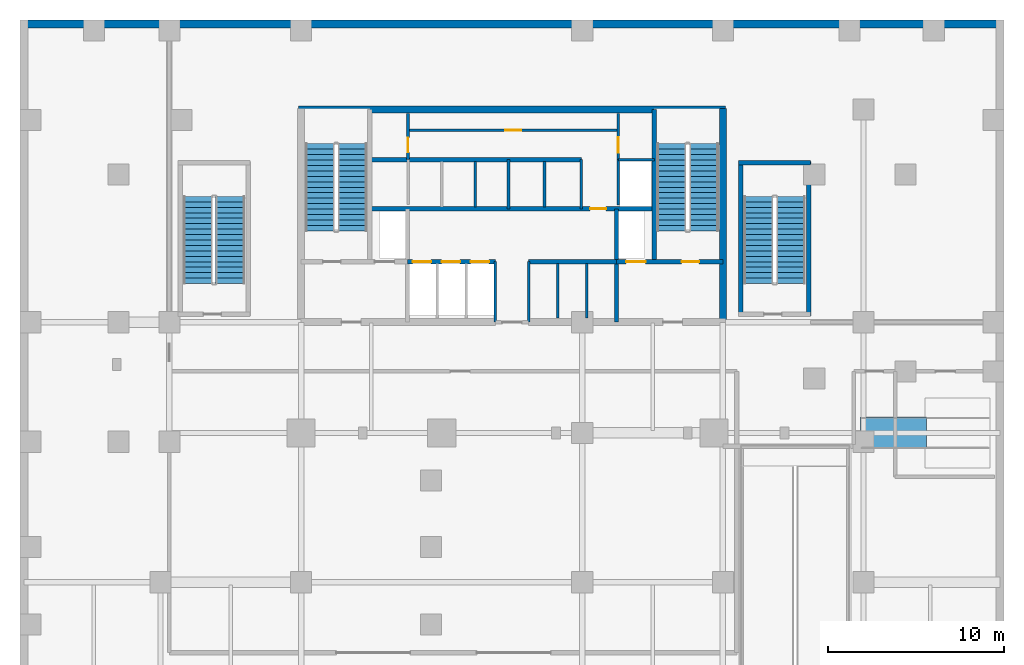
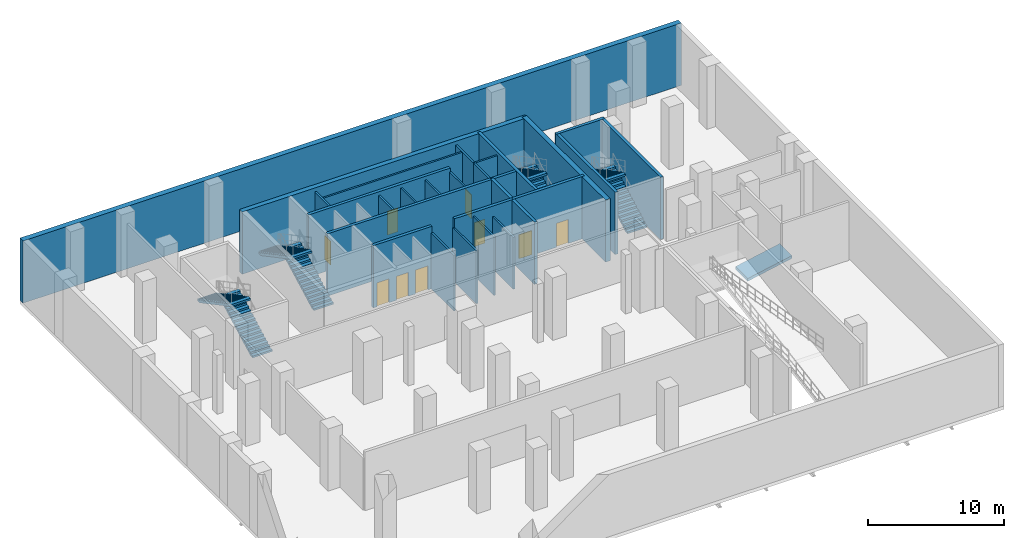
# One storey, part 3 of 5: 26 walls, 9 doors, 8 stair flights, 1 ramp flight, 9 openings, 5 elements without a shape of their own.
"""IFC4 building model written with IfcOpenShell, lengths in metres."""

from ifc_helpers import new_model, si_unit, direction, frame, frame_2d, origin, place, context, subcontext, project, spatial, polyline, rectangle, outline, extrude, material, layer, layer_set, type_object, element, fill, aggregate, save


model = new_model("IFC4")

# Units and contexts
model_context = context("Model", 3, precision=1e-05, world=origin(), true_north=direction((0.0, 1.0)))
body_context = subcontext(model_context, "Body", "Model", "MODEL_VIEW")
ifc_project = project(units=[si_unit("LENGTHUNIT", "METRE"), si_unit("AREAUNIT", "SQUARE_METRE"), si_unit("VOLUMEUNIT", "CUBIC_METRE"), si_unit("PLANEANGLEUNIT", "RADIAN"), si_unit("MASSUNIT", "GRAM", prefix="KILO")], contexts=[model_context])

# Site, building, storey
site_placement = place(None, origin())
site = spatial("IfcSite", under=ifc_project, at=site_placement, CompositionType="ELEMENT")
building_placement = place(site_placement, origin())
building = spatial("IfcBuilding", under=site, at=building_placement, Name="Catumbela Crestline Tower", CompositionType="ELEMENT")
storey_placement = place(building_placement, frame((0.0, 0.0, -5.6)))
storey = spatial("IfcBuildingStorey", under=building, at=storey_placement, Name="B01", CompositionType="ELEMENT", Elevation=-5.6)

# Walls
ifc_material_1 = material(Name="Concrete C50/60", Category="concrete")
ifc_layer_1 = layer(ifc_material_1, 0.25, Name="Concrete C50/60")
ifc_layer_set_1 = layer_set([ifc_layer_1], Name="Concrete C50/60")
wall_type_1 = type_object("IfcWallType", Name="CW-250D", PredefinedType="SHEAR", material=ifc_layer_set_1)
wall_1_placement = place(storey_placement, frame((36.1, 34.25, 0.0), z_axis=(0.0, 0.0, 1.0), x_axis=(0.0, 1.0, 0.0)))
element("IfcWall", 1, at=wall_1_placement, inside=storey, type_object=wall_type_1, Name="B01 Structural Core Shear Wall EWEB", PredefinedType="SHEAR", context=body_context, shape_type="SweptSolid", body=[
    extrude(rectangle(XDim=8.65, YDim=0.25, at=frame_2d((4.325, 0.0))), origin(), (0.0, 0.0, 1.0), 5.6),
])
wall_2_placement = place(storey_placement, frame((33.95, 30.8, 0.0), z_axis=(0.0, 0.0, 1.0), x_axis=(0.0, 1.0, 0.0)))
element("IfcWall", 2, at=wall_2_placement, inside=storey, type_object=wall_type_1, Name="B01 Structural Core Shear Wall FFE", PredefinedType="SHEAR", context=body_context, shape_type="SweptSolid", body=[
    extrude(rectangle(XDim=6.45, YDim=0.25, at=frame_2d((3.225, 0.0))), origin(), (0.0, 0.0, 1.0), 5.6),
])

# Wall, openings, doors
wall_3_placement = place(storey_placement, frame((33.95, 34.25, 0.0), z_axis=(0.0, 0.0, 1.0), x_axis=(1.0, 0.0, 0.0)))
wall_3 = element("IfcWall", 3, at=wall_3_placement, inside=storey, type_object=wall_type_1, Name="B01 Structural Core Shear Wall ST2S", PredefinedType="SHEAR", context=body_context, shape_type="SweptSolid", body=[
    extrude(rectangle(XDim=6.05, YDim=0.25, at=frame_2d((3.025, 0.0))), origin(), (0.0, 0.0, 1.0), 5.6),
])
opening_1_placement = place(wall_3_placement, frame((3.7, 0.0, 0.0)))
opening_1 = element("IfcOpeningElement", 4, at=opening_1_placement, cuts=wall_3, Name="Opening DF9-100", PredefinedType="OPENING", context=body_context, shape_type="SweptSolid", body=[
    extrude(rectangle(XDim=1.0, YDim=2.15, at=frame_2d((0.5, 1.075))), frame((0.0, 0.135, 0.0), z_axis=(0.0, -1.0, 0.0), x_axis=(1.0, 0.0, 0.0)), (0.0, 0.0, 1.0), 0.27),
])
opening_2_placement = place(wall_3_placement, frame((0.55, 0.0, 0.0)))
opening_2 = element("IfcOpeningElement", 5, at=opening_2_placement, cuts=wall_3, Name="Opening LD-110", PredefinedType="OPENING", context=body_context, shape_type="SweptSolid", body=[
    extrude(rectangle(XDim=1.1, YDim=2.15, at=frame_2d((0.55, 1.075))), frame((0.0, 0.135, 0.0), z_axis=(0.0, -1.0, 0.0), x_axis=(1.0, 0.0, 0.0)), (0.0, 0.0, 1.0), 0.27),
])
ifc_material_2 = material(Name="Stainless steel EN 1.4401", Category="steel")
door_type_1 = type_object("IfcDoorType", Name="DF9-100", OperationType="NOTDEFINED", PredefinedType="DOOR", material=ifc_material_2)
door_1_placement = place(opening_1_placement, origin())
door_1 = element("IfcDoor", 6, at=door_1_placement, inside=storey, type_object=door_type_1, Name="B01 Interior Door DR-B01-ST02", OperationType="SINGLE_SWING_RIGHT", OverallHeight=2.15, OverallWidth=1.0, PredefinedType="DOOR", context=body_context, shape_type="SweptSolid", body=[
    extrude(rectangle(XDim=1.0, YDim=2.15, at=frame_2d((0.5, 1.075))), frame((0.0, 0.025, 0.0), z_axis=(0.0, -1.0, 0.0), x_axis=(1.0, 0.0, 0.0)), (0.0, 0.0, 1.0), 0.05),
])
fill(opening_1, door_1)
door_type_2 = type_object("IfcDoorType", Name="LD-110", OperationType="NOTDEFINED", PredefinedType="DOOR", material=ifc_material_2)
door_2_placement = place(opening_2_placement, origin())
door_2 = element("IfcDoor", 7, at=door_2_placement, inside=storey, type_object=door_type_2, Name="B01 Lift Landing Sliding Door FL-02", OperationType="DOUBLE_DOOR_SLIDING", OverallHeight=2.15, OverallWidth=1.1, PredefinedType="DOOR", context=body_context, shape_type="SweptSolid", body=[
    extrude(rectangle(XDim=1.1, YDim=2.15, at=frame_2d((0.55, 1.075))), frame((0.0, 0.025, 0.0), z_axis=(0.0, -1.0, 0.0), x_axis=(1.0, 0.0, 0.0)), (0.0, 0.0, 1.0), 0.05),
])
fill(opening_2, door_2)

wall_4_placement = place(storey_placement, frame((22.05, 34.25, 0.0), z_axis=(0.0, 0.0, 1.0), x_axis=(1.0, 0.0, 0.0)))
wall_4 = element("IfcWall", 8, at=wall_4_placement, inside=storey, type_object=wall_type_1, Name="B01 Structural Core Shear Wall LIFTS-W", PredefinedType="SHEAR", context=body_context, shape_type="SweptSolid", body=[
    extrude(rectangle(XDim=5.0, YDim=0.25, at=frame_2d((2.5, 0.0))), origin(), (0.0, 0.0, 1.0), 5.6),
])
opening_3_placement = place(wall_4_placement, frame((0.3, 0.0, 0.0)))
opening_3 = element("IfcOpeningElement", 9, at=opening_3_placement, cuts=wall_4, Name="Opening LD-105", PredefinedType="OPENING", context=body_context, shape_type="SweptSolid", body=[
    extrude(rectangle(XDim=1.05, YDim=2.15, at=frame_2d((0.525, 1.075))), frame((0.0, 0.135, 0.0), z_axis=(0.0, -1.0, 0.0), x_axis=(1.0, 0.0, 0.0)), (0.0, 0.0, 1.0), 0.27),
])
opening_4_placement = place(wall_4_placement, frame((1.95, 0.0, 0.0)))
opening_4 = element("IfcOpeningElement", 10, at=opening_4_placement, cuts=wall_4, Name="Opening LD-105", PredefinedType="OPENING", context=body_context, shape_type="SweptSolid", body=[
    extrude(rectangle(XDim=1.05, YDim=2.15, at=frame_2d((0.525, 1.075))), frame((0.0, 0.135, 0.0), z_axis=(0.0, -1.0, 0.0), x_axis=(1.0, 0.0, 0.0)), (0.0, 0.0, 1.0), 0.27),
])
opening_5_placement = place(wall_4_placement, frame((3.6, 0.0, 0.0)))
opening_5 = element("IfcOpeningElement", 11, at=opening_5_placement, cuts=wall_4, Name="Opening LD-105", PredefinedType="OPENING", context=body_context, shape_type="SweptSolid", body=[
    extrude(rectangle(XDim=1.05, YDim=2.15, at=frame_2d((0.525, 1.075))), frame((0.0, 0.135, 0.0), z_axis=(0.0, -1.0, 0.0), x_axis=(1.0, 0.0, 0.0)), (0.0, 0.0, 1.0), 0.27),
])
door_type_3 = type_object("IfcDoorType", Name="LD-105", OperationType="NOTDEFINED", PredefinedType="DOOR", material=ifc_material_2)
door_3_placement = place(opening_3_placement, origin())
door_3 = element("IfcDoor", 12, at=door_3_placement, inside=storey, type_object=door_type_3, Name="B01 Lift Landing Sliding Door PL-L1", OperationType="DOUBLE_DOOR_SLIDING", OverallHeight=2.15, OverallWidth=1.05, PredefinedType="DOOR", context=body_context, shape_type="SweptSolid", body=[
    extrude(rectangle(XDim=1.05, YDim=2.15, at=frame_2d((0.525, 1.075))), frame((0.0, 0.025, 0.0), z_axis=(0.0, -1.0, 0.0), x_axis=(1.0, 0.0, 0.0)), (0.0, 0.0, 1.0), 0.05),
])
fill(opening_3, door_3)
door_4_placement = place(opening_4_placement, origin())
door_4 = element("IfcDoor", 13, at=door_4_placement, inside=storey, type_object=door_type_3, Name="B01 Lift Landing Sliding Door PL-L2", OperationType="DOUBLE_DOOR_SLIDING", OverallHeight=2.15, OverallWidth=1.05, PredefinedType="DOOR", context=body_context, shape_type="SweptSolid", body=[
    extrude(rectangle(XDim=1.05, YDim=2.15, at=frame_2d((0.525, 1.075))), frame((0.0, 0.025, 0.0), z_axis=(0.0, -1.0, 0.0), x_axis=(1.0, 0.0, 0.0)), (0.0, 0.0, 1.0), 0.05),
])
fill(opening_4, door_4)
door_5_placement = place(opening_5_placement, origin())
door_5 = element("IfcDoor", 14, at=door_5_placement, inside=storey, type_object=door_type_3, Name="B01 Lift Landing Sliding Door PL-L3", OperationType="DOUBLE_DOOR_SLIDING", OverallHeight=2.15, OverallWidth=1.05, PredefinedType="DOOR", context=body_context, shape_type="SweptSolid", body=[
    extrude(rectangle(XDim=1.05, YDim=2.15, at=frame_2d((0.525, 1.075))), frame((0.0, 0.025, 0.0), z_axis=(0.0, -1.0, 0.0), x_axis=(1.0, 0.0, 0.0)), (0.0, 0.0, 1.0), 0.05),
])
fill(opening_5, door_5)

# Wall
wall_5_placement = place(storey_placement, frame((28.95, 34.25, 0.0), z_axis=(0.0, 0.0, 1.0), x_axis=(1.0, 0.0, 0.0)))
element("IfcWall", 15, at=wall_5_placement, inside=storey, type_object=wall_type_1, Name="B01 Structural Core Shear Wall LIFTS-E", PredefinedType="SHEAR", context=body_context, shape_type="SweptSolid", body=[
    extrude(rectangle(XDim=5.0, YDim=0.25, at=frame_2d((2.5, 0.0))), origin(), (0.0, 0.0, 1.0), 5.6),
])

# Wall, opening, door
wall_6_placement = place(storey_placement, frame((19.9, 37.25, 0.0), z_axis=(0.0, 0.0, 1.0), x_axis=(1.0, 0.0, 0.0)))
wall_6 = element("IfcWall", 16, at=wall_6_placement, inside=storey, type_object=wall_type_1, Name="B01 Structural Core Shear Wall LIFTN", PredefinedType="SHEAR", context=body_context, shape_type="SweptSolid", body=[
    extrude(rectangle(XDim=16.2, YDim=0.25, at=frame_2d((8.1, 0.0))), origin(), (0.0, 0.0, 1.0), 5.6),
])
opening_6_placement = place(wall_6_placement, frame((12.55, 0.0, 0.0)))
opening_6 = element("IfcOpeningElement", 17, at=opening_6_placement, cuts=wall_6, Name="Opening DF9-090", PredefinedType="OPENING", context=body_context, shape_type="SweptSolid", body=[
    extrude(rectangle(XDim=0.9, YDim=2.15, at=frame_2d((0.45, 1.075))), frame((0.0, 0.135, 0.0), z_axis=(0.0, -1.0, 0.0), x_axis=(1.0, 0.0, 0.0)), (0.0, 0.0, 1.0), 0.27),
])
door_type_4 = type_object("IfcDoorType", Name="DF9-090", OperationType="NOTDEFINED", PredefinedType="DOOR", material=ifc_material_2)
door_6_placement = place(opening_6_placement, origin())
door_6 = element("IfcDoor", 18, at=door_6_placement, inside=storey, type_object=door_type_4, Name="B01 Interior Door DR-B01-CPAS1", OperationType="SINGLE_SWING_LEFT", OverallHeight=2.15, OverallWidth=0.9, PredefinedType="DOOR", context=body_context, shape_type="SweptSolid", body=[
    extrude(rectangle(XDim=0.9, YDim=2.15, at=frame_2d((0.45, 1.075))), frame((0.0, 0.025, 0.0), z_axis=(0.0, -1.0, 0.0), x_axis=(1.0, 0.0, 0.0)), (0.0, 0.0, 1.0), 0.05),
])
fill(opening_6, door_6)

# Walls
wall_7_placement = place(storey_placement, frame((19.9, 40.05, 0.0), z_axis=(0.0, 0.0, 1.0), x_axis=(1.0, 0.0, 0.0)))
element("IfcWall", 19, at=wall_7_placement, inside=storey, type_object=wall_type_1, Name="B01 Structural Core Shear Wall COREN", PredefinedType="SHEAR", context=body_context, shape_type="SweptSolid", body=[
    extrude(rectangle(XDim=12.05, YDim=0.25, at=frame_2d((6.025, 0.0))), origin(), (0.0, 0.0, 1.0), 5.6),
])
for number, where, z_axis, x_axis, name in (
    (20, (41.02, 31.15, 0.0), (0.0, 0.0, 1.0), (0.0, 1.0, 0.0), "B01 Structural Core Shear Wall ST4W"),
    (21, (44.88, 31.15, 0.0), (0.0, 0.0, 1.0), (0.0, 1.0, 0.0), "B01 Structural Core Shear Wall ST4E"),
):
    element("IfcWall", number, at=place(storey_placement, frame(where, z_axis=z_axis, x_axis=x_axis)), inside=storey, type_object=wall_type_1, Name=name, PredefinedType="SHEAR", context=body_context, shape_type="SweptSolid", body=[
        extrude(rectangle(XDim=8.8, YDim=0.25, at=frame_2d((4.4, 0.0))), origin(), (0.0, 0.0, 1.0), 5.6),
    ])
wall_8_placement = place(storey_placement, frame((40.9, 39.88, 0.0), z_axis=(0.0, 0.0, 1.0), x_axis=(1.0, 0.0, 0.0)))
element("IfcWall", 22, at=wall_8_placement, inside=storey, type_object=wall_type_1, Name="B01 Structural Core Shear Wall ST4N", PredefinedType="SHEAR", context=body_context, shape_type="SweptSolid", body=[
    extrude(rectangle(XDim=4.1, YDim=0.25, at=frame_2d((2.05, 0.0))), origin(), (0.0, 0.0, 1.0), 5.6),
])
ifc_material_3 = material(Name="Concrete C60/75", Category="concrete")
ifc_layer_2 = layer(ifc_material_3, 0.4, Name="Concrete C60/75")
ifc_layer_set_2 = layer_set([ifc_layer_2], Name="Concrete C60/75")
wall_type_2 = type_object("IfcWallType", Name="CW-400A", PredefinedType="SHEAR", material=ifc_layer_set_2)
wall_9_placement = place(storey_placement, frame((40.0, 30.65, 0.0), z_axis=(0.0, 0.0, 1.0), x_axis=(0.0, 1.0, 0.0)))
element("IfcWall", 23, at=wall_9_placement, inside=storey, type_object=wall_type_2, Name="B01 Structural Core Shear Wall E", PredefinedType="SHEAR", context=body_context, shape_type="SweptSolid", body=[
    extrude(rectangle(XDim=12.3, YDim=0.4, at=frame_2d((6.15, 0.0))), origin(), (0.0, 0.0, 1.0), 5.6),
])
wall_10_placement = place(storey_placement, frame((15.85, 42.9, 0.0), z_axis=(0.0, 0.0, 1.0), x_axis=(1.0, 0.0, 0.0)))
element("IfcWall", 24, at=wall_10_placement, inside=storey, type_object=wall_type_2, Name="B01 Structural Core Shear Wall N", PredefinedType="SHEAR", context=body_context, shape_type="SweptSolid", body=[
    extrude(rectangle(XDim=24.3, YDim=0.4, at=frame_2d((12.15, 0.0))), origin(), (0.0, 0.0, 1.0), 5.6),
])
ifc_material_4 = material(Name="Acoustic gypsum and mineral-wool partition")
ifc_layer_3 = layer(ifc_material_4, 0.15, Name="Acoustic gypsum and mineral-wool partition")
ifc_layer_set_3 = layer_set([ifc_layer_3], Name="Acoustic gypsum and mineral-wool partition")
wall_type_3 = type_object("IfcWallType", Name="WP-150", PredefinedType="PARTITIONING", material=ifc_layer_set_3)
wall_11_placement = place(storey_placement, frame((34.05, 40.05, 0.0), z_axis=(0.0, 0.0, 1.0), x_axis=(1.0, 0.0, 0.0)))
element("IfcWall", 25, at=wall_11_placement, inside=storey, type_object=wall_type_3, Name="B01 Interior Partition PW-B01-CR-ES", PredefinedType="PARTITIONING", context=body_context, shape_type="SweptSolid", body=[
    extrude(rectangle(XDim=2.05, YDim=0.15, at=frame_2d((1.025, 0.0))), origin(), (0.0, 0.0, 1.0), 5.27),
])

# Wall, opening, door
wall_12_placement = place(storey_placement, frame((34.05, 40.05, 0.0), z_axis=(0.0, 0.0, 1.0), x_axis=(0.0, 1.0, 0.0)))
wall_12 = element("IfcWall", 26, at=wall_12_placement, inside=storey, type_object=wall_type_3, Name="B01 Interior Partition PW-B01-CR-EW", PredefinedType="PARTITIONING", context=body_context, shape_type="SweptSolid", body=[
    extrude(rectangle(XDim=2.63, YDim=0.15, at=frame_2d((1.315, 0.0))), origin(), (0.0, 0.0, 1.0), 5.27),
])
opening_7_placement = place(wall_12_placement, frame((0.385, 0.0, 0.0)))
opening_7 = element("IfcOpeningElement", 27, at=opening_7_placement, cuts=wall_12, Name="Opening DF9-090", PredefinedType="OPENING", context=body_context, shape_type="SweptSolid", body=[
    extrude(rectangle(XDim=0.9, YDim=2.15, at=frame_2d((0.45, 1.075))), frame((0.0, 0.085, 0.0), z_axis=(0.0, -1.0, 0.0), x_axis=(1.0, 0.0, 0.0)), (0.0, 0.0, 1.0), 0.17),
])
door_7_placement = place(opening_7_placement, origin())
door_7 = element("IfcDoor", 28, at=door_7_placement, inside=storey, type_object=door_type_4, Name="B01 Interior Door DR-B01-CREAST", OperationType="SINGLE_SWING_RIGHT", OverallHeight=2.15, OverallWidth=0.9, PredefinedType="DOOR", context=body_context, shape_type="SweptSolid", body=[
    extrude(rectangle(XDim=0.9, YDim=2.15, at=frame_2d((0.45, 1.075))), frame((0.0, 0.025, 0.0), z_axis=(0.0, -1.0, 0.0), x_axis=(1.0, 0.0, 0.0)), (0.0, 0.0, 1.0), 0.05),
])
fill(opening_7, door_7)

wall_13_placement = place(storey_placement, frame((22.08, 40.05, 0.0), z_axis=(0.0, 0.0, 1.0), x_axis=(0.0, 1.0, 0.0)))
wall_13 = element("IfcWall", 29, at=wall_13_placement, inside=storey, type_object=wall_type_3, Name="B01 Interior Partition PW-B01-CR-WCW", PredefinedType="PARTITIONING", context=body_context, shape_type="SweptSolid", body=[
    extrude(rectangle(XDim=2.63, YDim=0.15, at=frame_2d((1.315, 0.0))), origin(), (0.0, 0.0, 1.0), 5.27),
])
opening_8_placement = place(wall_13_placement, frame((0.41, 0.0, 0.0)))
opening_8 = element("IfcOpeningElement", 30, at=opening_8_placement, cuts=wall_13, Name="Opening DI-085", PredefinedType="OPENING", context=body_context, shape_type="SweptSolid", body=[
    extrude(rectangle(XDim=0.85, YDim=2.15, at=frame_2d((0.425, 1.075))), frame((0.0, 0.085, 0.0), z_axis=(0.0, -1.0, 0.0), x_axis=(1.0, 0.0, 0.0)), (0.0, 0.0, 1.0), 0.17),
])
ifc_material_5 = material(Name="Aluminium alloy AW-6060-T66", Category="aluminium")
door_type_5 = type_object("IfcDoorType", Name="DI-085", OperationType="NOTDEFINED", PredefinedType="DOOR", material=ifc_material_5)
door_8_placement = place(opening_8_placement, origin())
door_8 = element("IfcDoor", 31, at=door_8_placement, inside=storey, type_object=door_type_5, Name="B01 Interior Door DR-B01-CRWC", OperationType="SINGLE_SWING_LEFT", OverallHeight=2.15, OverallWidth=0.85, PredefinedType="DOOR", context=body_context, shape_type="SweptSolid", body=[
    extrude(rectangle(XDim=0.85, YDim=2.15, at=frame_2d((0.425, 1.075))), frame((0.0, 0.025, 0.0), z_axis=(0.0, -1.0, 0.0), x_axis=(1.0, 0.0, 0.0)), (0.0, 0.0, 1.0), 0.05),
])
fill(opening_8, door_8)

wall_14_placement = place(storey_placement, frame((22.08, 41.72, 0.0), z_axis=(0.0, 0.0, 1.0), x_axis=(1.0, 0.0, 0.0)))
wall_14 = element("IfcWall", 32, at=wall_14_placement, inside=storey, type_object=wall_type_3, Name="B01 Interior Partition PW-B01-CR-MID", PredefinedType="PARTITIONING", context=body_context, shape_type="SweptSolid", body=[
    extrude(rectangle(XDim=11.97, YDim=0.15, at=frame_2d((5.985, 0.0))), origin(), (0.0, 0.0, 1.0), 5.27),
])
opening_9_placement = place(wall_14_placement, frame((5.535, 0.0, 0.0)))
opening_9 = element("IfcOpeningElement", 33, at=opening_9_placement, cuts=wall_14, Name="Opening DF9-090", PredefinedType="OPENING", context=body_context, shape_type="SweptSolid", body=[
    extrude(rectangle(XDim=0.9, YDim=2.15, at=frame_2d((0.45, 1.075))), frame((0.0, 0.085, 0.0), z_axis=(0.0, -1.0, 0.0), x_axis=(1.0, 0.0, 0.0)), (0.0, 0.0, 1.0), 0.17),
])
door_9_placement = place(opening_9_placement, origin())
door_9 = element("IfcDoor", 34, at=door_9_placement, inside=storey, type_object=door_type_4, Name="B01 Interior Door DR-B01-CRMID", OperationType="SINGLE_SWING_LEFT", OverallHeight=2.15, OverallWidth=0.9, PredefinedType="DOOR", context=body_context, shape_type="SweptSolid", body=[
    extrude(rectangle(XDim=0.9, YDim=2.15, at=frame_2d((0.45, 1.075))), frame((0.0, 0.025, 0.0), z_axis=(0.0, -1.0, 0.0), x_axis=(1.0, 0.0, 0.0)), (0.0, 0.0, 1.0), 0.05),
])
fill(opening_9, door_9)

# Walls
ifc_layer_4 = layer(ifc_material_1, 0.45, Name="Concrete C50/60")
ifc_layer_set_4 = layer_set([ifc_layer_4], Name="Concrete C50/60")
wall_type_4 = type_object("IfcWallType", Name="RW-450", PredefinedType="USERDEFINED", material=ifc_layer_set_4)
wall_15_placement = place(storey_placement, frame((0.0, 47.775, 0.0), z_axis=(0.0, 0.0, 1.0), x_axis=(1.0, 0.0, 0.0)))
element("IfcWall", 35, at=wall_15_placement, inside=storey, type_object=wall_type_4, Name="B01 Perimeter Diaphragm Retaining Wall N", ObjectType="RETAINING", PredefinedType="USERDEFINED", context=body_context, shape_type="SweptSolid", body=[
    extrude(rectangle(XDim=56.0, YDim=0.45, at=frame_2d((28.0, 0.0))), origin(), (0.0, 0.0, 1.0), 5.6),
])
ifc_layer_5 = layer(ifc_material_4, 0.15, Name="Acoustic gypsum and mineral-wool partition")
ifc_layer_set_5 = layer_set([ifc_layer_5], Name="Acoustic gypsum and mineral-wool partition")
wall_type_5 = type_object("IfcWallType", Name="WS-150", PredefinedType="PLUMBINGWALL", material=ifc_layer_set_5)
wall_16_placement = place(storey_placement, frame((27.05, 30.8, 0.0), z_axis=(0.0, 0.0, 1.0), x_axis=(0.0, 1.0, 0.0)))
element("IfcWall", 36, at=wall_16_placement, inside=storey, type_object=wall_type_5, Name="B01 Interior Partition PW-B01-THRW", PredefinedType="PLUMBINGWALL", context=body_context, shape_type="SweptSolid", body=[
    extrude(rectangle(XDim=3.45, YDim=0.15, at=frame_2d((1.725, 0.0))), origin(), (0.0, 0.0, 1.0), 5.01),
])
wall_17_placement = place(storey_placement, frame((28.95, 30.8, 0.0), z_axis=(0.0, 0.0, 1.0), x_axis=(0.0, 1.0, 0.0)))
element("IfcWall", 37, at=wall_17_placement, inside=storey, type_object=wall_type_5, Name="B01 Interior Partition PW-B01-THRE", PredefinedType="PLUMBINGWALL", context=body_context, shape_type="SweptSolid", body=[
    extrude(rectangle(XDim=3.45, YDim=0.15, at=frame_2d((1.725, 0.0))), origin(), (0.0, 0.0, 1.0), 4.76),
])
wall_18_placement = place(storey_placement, frame((30.6, 31.05, 0.0), z_axis=(0.0, 0.0, 1.0), x_axis=(0.0, 1.0, 0.0)))
element("IfcWall", 38, at=wall_18_placement, inside=storey, type_object=wall_type_5, Name="B01 Interior Partition PW-B01-SHM1", PredefinedType="PLUMBINGWALL", context=body_context, shape_type="SweptSolid", body=[
    extrude(rectangle(XDim=3.1, YDim=0.15, at=frame_2d((1.55, 0.0))), origin(), (0.0, 0.0, 1.0), 5.27),
])
wall_19_placement = place(storey_placement, frame((32.25, 31.05, 0.0), z_axis=(0.0, 0.0, 1.0), x_axis=(0.0, 1.0, 0.0)))
element("IfcWall", 39, at=wall_19_placement, inside=storey, type_object=wall_type_5, Name="B01 Interior Partition PW-B01-SHM2", PredefinedType="PLUMBINGWALL", context=body_context, shape_type="SweptSolid", body=[
    extrude(rectangle(XDim=3.1, YDim=0.15, at=frame_2d((1.55, 0.0))), origin(), (0.0, 0.0, 1.0), 4.66),
])
wall_20_placement = place(storey_placement, frame((27.8, 37.25, 0.0), z_axis=(0.0, 0.0, 1.0), x_axis=(0.0, 1.0, 0.0)))
element("IfcWall", 40, at=wall_20_placement, inside=storey, type_object=wall_type_5, Name="B01 Interior Partition PW-B01-SHH3", PredefinedType="PLUMBINGWALL", context=body_context, shape_type="SweptSolid", body=[
    extrude(rectangle(XDim=2.8, YDim=0.15, at=frame_2d((1.4, 0.0))), origin(), (0.0, 0.0, 1.0), 5.27),
])
wall_21_placement = place(storey_placement, frame((25.9, 37.35, 0.0), z_axis=(0.0, 0.0, 1.0), x_axis=(0.0, 1.0, 0.0)))
element("IfcWall", 41, at=wall_21_placement, inside=storey, type_object=wall_type_5, Name="B01 Interior Partition PW-B01-SHH2", PredefinedType="PLUMBINGWALL", context=body_context, shape_type="SweptSolid", body=[
    extrude(rectangle(XDim=2.6, YDim=0.15, at=frame_2d((1.3, 0.0))), origin(), (0.0, 0.0, 1.0), 5.27),
])
wall_22_placement = place(storey_placement, frame((31.95, 37.25, 0.0), z_axis=(0.0, 0.0, 1.0), x_axis=(0.0, 1.0, 0.0)))
element("IfcWall", 42, at=wall_22_placement, inside=storey, type_object=wall_type_5, Name="B01 Interior Partition PW-B01-SHEX2E", PredefinedType="PLUMBINGWALL", context=body_context, shape_type="SweptSolid", body=[
    extrude(rectangle(XDim=2.8, YDim=0.15, at=frame_2d((1.4, 0.0))), origin(), (0.0, 0.0, 1.0), 5.27),
])
wall_23_placement = place(storey_placement, frame((29.85, 37.35, 0.0), z_axis=(0.0, 0.0, 1.0), x_axis=(0.0, 1.0, 0.0)))
element("IfcWall", 43, at=wall_23_placement, inside=storey, type_object=wall_type_5, Name="B01 Interior Partition PW-B01-SHEX1", PredefinedType="PLUMBINGWALL", context=body_context, shape_type="SweptSolid", body=[
    extrude(rectangle(XDim=2.6, YDim=0.15, at=frame_2d((1.3, 0.0))), origin(), (0.0, 0.0, 1.0), 5.27),
])
wall_24_placement = place(storey_placement, frame((34.05, 37.4734, 0.0), z_axis=(0.0, 0.0, 1.0), x_axis=(0.0, 1.0, 0.0)))
element("IfcWall", 44, at=wall_24_placement, inside=storey, type_object=wall_type_5, Name="B01 Interior Partition PW-B01-RISW", PredefinedType="PLUMBINGWALL", context=body_context, shape_type="SweptSolid", body=[
    extrude(rectangle(XDim=2.5766, YDim=0.15, at=frame_2d((1.2883, 0.0))), origin(), (0.0, 0.0, 1.0), 5.27),
])

# Stair, stair flights
ifc_material_6 = material(Name="Concrete C45/55", Category="concrete")
stair_type = type_object("IfcStairType", Name="ST-DLG", PredefinedType="HALF_TURN_STAIR", material=ifc_material_6)
stair_1_placement = place(storey_placement, origin())
stair_1 = element("IfcStair", 45, at=stair_1_placement, inside=storey, type_object=stair_type, Name="B01 West Core Pressurised Exit Stair ST-01", PredefinedType="HALF_TURN_STAIR")
stair_flight_type = type_object("IfcStairFlightType", Name="SF-1647", PredefinedType="STRAIGHT", material=ifc_material_6)
stair_flight_1_placement = place(storey_placement, frame((18.92, 36.0, 0.0), z_axis=(0.0, 0.0, 1.0), x_axis=(0.0, 1.0, 0.0)))
stair_flight_1 = element("IfcStairFlight", 46, at=stair_flight_1_placement, type_object=stair_flight_type, Name="ST-01 flight 1", NumberOfRisers=17, NumberOfTreads=16, PredefinedType="STRAIGHT", RiserHeight=0.164705882, TreadLength=0.31, context=body_context, shape_type="SweptSolid", body=[
    extrude(outline(polyline([(0.0, 0.0), (0.0, 0.1647), (0.31, 0.1647), (0.31, 0.3294), (0.62, 0.3294), (0.62, 0.4941), (0.93, 0.4941), (0.93, 0.6588), (1.24, 0.6588), (1.24, 0.8235), (1.55, 0.8235), (1.55, 0.9882), (1.86, 0.9882), (1.86, 1.1529), (2.17, 1.1529), (2.17, 1.3176), (2.48, 1.3176), (2.48, 1.4824), (2.79, 1.4824), (2.79, 1.6471), (3.1, 1.6471), (3.1, 1.8118), (3.41, 1.8118), (3.41, 1.9765), (3.72, 1.9765), (3.72, 2.1412), (4.03, 2.1412), (4.03, 2.3059), (4.34, 2.3059), (4.34, 2.4706), (4.65, 2.4706), (4.65, 2.6353), (4.96, 2.6353), (4.96, 2.8), (4.96, 2.4541), (0.341, 0.0), (0.0, 0.0)])), frame((0.0, 0.83, 0.0), z_axis=(0.0, -1.0, 0.0), x_axis=(1.0, 0.0, 0.0)), (0.0, 0.0, 1.0), 1.66),
])
stair_flight_2_placement = place(storey_placement, frame((17.08, 40.96, 2.8), z_axis=(0.0, 0.0, 1.0), x_axis=(0.0, -1.0, 0.0)))
stair_flight_2 = element("IfcStairFlight", 47, at=stair_flight_2_placement, type_object=stair_flight_type, Name="ST-01 flight 2", NumberOfRisers=17, NumberOfTreads=16, PredefinedType="STRAIGHT", RiserHeight=0.164705882, TreadLength=0.31, context=body_context, shape_type="SweptSolid", body=[
    extrude(outline(polyline([(0.0, 0.0), (0.0, 0.1647), (0.31, 0.1647), (0.31, 0.3294), (0.62, 0.3294), (0.62, 0.4941), (0.93, 0.4941), (0.93, 0.6588), (1.24, 0.6588), (1.24, 0.8235), (1.55, 0.8235), (1.55, 0.9882), (1.86, 0.9882), (1.86, 1.1529), (2.17, 1.1529), (2.17, 1.3176), (2.48, 1.3176), (2.48, 1.4824), (2.79, 1.4824), (2.79, 1.6471), (3.1, 1.6471), (3.1, 1.8118), (3.41, 1.8118), (3.41, 1.9765), (3.72, 1.9765), (3.72, 2.1412), (4.03, 2.1412), (4.03, 2.3059), (4.34, 2.3059), (4.34, 2.4706), (4.65, 2.4706), (4.65, 2.6353), (4.96, 2.6353), (4.96, 2.8), (4.96, 2.4541), (0.341, 0.0), (0.0, 0.0)])), frame((0.0, 0.83, 0.0), z_axis=(0.0, -1.0, 0.0), x_axis=(1.0, 0.0, 0.0)), (0.0, 0.0, 1.0), 1.66),
])
aggregate(stair_1, [stair_flight_1, stair_flight_2])

stair_2_placement = place(storey_placement, origin())
stair_2 = element("IfcStair", 48, at=stair_2_placement, inside=storey, type_object=stair_type, Name="B01 East Core Pressurised Exit Stair ST-02", PredefinedType="HALF_TURN_STAIR")
stair_flight_3_placement = place(storey_placement, frame((38.92, 36.0, 0.0), z_axis=(0.0, 0.0, 1.0), x_axis=(0.0, 1.0, 0.0)))
stair_flight_3 = element("IfcStairFlight", 49, at=stair_flight_3_placement, type_object=stair_flight_type, Name="ST-02 flight 1", NumberOfRisers=17, NumberOfTreads=16, PredefinedType="STRAIGHT", RiserHeight=0.164705882, TreadLength=0.31, context=body_context, shape_type="SweptSolid", body=[
    extrude(outline(polyline([(0.0, 0.0), (0.0, 0.1647), (0.31, 0.1647), (0.31, 0.3294), (0.62, 0.3294), (0.62, 0.4941), (0.93, 0.4941), (0.93, 0.6588), (1.24, 0.6588), (1.24, 0.8235), (1.55, 0.8235), (1.55, 0.9882), (1.86, 0.9882), (1.86, 1.1529), (2.17, 1.1529), (2.17, 1.3176), (2.48, 1.3176), (2.48, 1.4824), (2.79, 1.4824), (2.79, 1.6471), (3.1, 1.6471), (3.1, 1.8118), (3.41, 1.8118), (3.41, 1.9765), (3.72, 1.9765), (3.72, 2.1412), (4.03, 2.1412), (4.03, 2.3059), (4.34, 2.3059), (4.34, 2.4706), (4.65, 2.4706), (4.65, 2.6353), (4.96, 2.6353), (4.96, 2.8), (4.96, 2.4541), (0.341, 0.0), (0.0, 0.0)])), frame((0.0, 0.83, 0.0), z_axis=(0.0, -1.0, 0.0), x_axis=(1.0, 0.0, 0.0)), (0.0, 0.0, 1.0), 1.66),
])
stair_flight_4_placement = place(storey_placement, frame((37.08, 40.96, 2.8), z_axis=(0.0, 0.0, 1.0), x_axis=(0.0, -1.0, 0.0)))
stair_flight_4 = element("IfcStairFlight", 50, at=stair_flight_4_placement, type_object=stair_flight_type, Name="ST-02 flight 2", NumberOfRisers=17, NumberOfTreads=16, PredefinedType="STRAIGHT", RiserHeight=0.164705882, TreadLength=0.31, context=body_context, shape_type="SweptSolid", body=[
    extrude(outline(polyline([(0.0, 0.0), (0.0, 0.1647), (0.31, 0.1647), (0.31, 0.3294), (0.62, 0.3294), (0.62, 0.4941), (0.93, 0.4941), (0.93, 0.6588), (1.24, 0.6588), (1.24, 0.8235), (1.55, 0.8235), (1.55, 0.9882), (1.86, 0.9882), (1.86, 1.1529), (2.17, 1.1529), (2.17, 1.3176), (2.48, 1.3176), (2.48, 1.4824), (2.79, 1.4824), (2.79, 1.6471), (3.1, 1.6471), (3.1, 1.8118), (3.41, 1.8118), (3.41, 1.9765), (3.72, 1.9765), (3.72, 2.1412), (4.03, 2.1412), (4.03, 2.3059), (4.34, 2.3059), (4.34, 2.4706), (4.65, 2.4706), (4.65, 2.6353), (4.96, 2.6353), (4.96, 2.8), (4.96, 2.4541), (0.341, 0.0), (0.0, 0.0)])), frame((0.0, 0.83, 0.0), z_axis=(0.0, -1.0, 0.0), x_axis=(1.0, 0.0, 0.0)), (0.0, 0.0, 1.0), 1.66),
])
aggregate(stair_2, [stair_flight_3, stair_flight_4])

stair_3_placement = place(storey_placement, origin())
stair_3 = element("IfcStair", 51, at=stair_3_placement, inside=storey, type_object=stair_type, Name="B01 South-West Podium Exit Stair ST-03", PredefinedType="HALF_TURN_STAIR")
stair_flight_5_placement = place(storey_placement, frame((11.97, 33.0, 0.0), z_axis=(0.0, 0.0, 1.0), x_axis=(0.0, 1.0, 0.0)))
stair_flight_5 = element("IfcStairFlight", 52, at=stair_flight_5_placement, type_object=stair_flight_type, Name="ST-03 flight 1", NumberOfRisers=17, NumberOfTreads=16, PredefinedType="STRAIGHT", RiserHeight=0.164705882, TreadLength=0.31, context=body_context, shape_type="SweptSolid", body=[
    extrude(outline(polyline([(0.0, 0.0), (0.0, 0.1647), (0.31, 0.1647), (0.31, 0.3294), (0.62, 0.3294), (0.62, 0.4941), (0.93, 0.4941), (0.93, 0.6588), (1.24, 0.6588), (1.24, 0.8235), (1.55, 0.8235), (1.55, 0.9882), (1.86, 0.9882), (1.86, 1.1529), (2.17, 1.1529), (2.17, 1.3176), (2.48, 1.3176), (2.48, 1.4824), (2.79, 1.4824), (2.79, 1.6471), (3.1, 1.6471), (3.1, 1.8118), (3.41, 1.8118), (3.41, 1.9765), (3.72, 1.9765), (3.72, 2.1412), (4.03, 2.1412), (4.03, 2.3059), (4.34, 2.3059), (4.34, 2.4706), (4.65, 2.4706), (4.65, 2.6353), (4.96, 2.6353), (4.96, 2.8), (4.96, 2.4541), (0.341, 0.0), (0.0, 0.0)])), frame((0.0, 0.83, 0.0), z_axis=(0.0, -1.0, 0.0), x_axis=(1.0, 0.0, 0.0)), (0.0, 0.0, 1.0), 1.66),
])
stair_flight_6_placement = place(storey_placement, frame((10.13, 37.96, 2.8), z_axis=(0.0, 0.0, 1.0), x_axis=(0.0, -1.0, 0.0)))
stair_flight_6 = element("IfcStairFlight", 53, at=stair_flight_6_placement, type_object=stair_flight_type, Name="ST-03 flight 2", NumberOfRisers=17, NumberOfTreads=16, PredefinedType="STRAIGHT", RiserHeight=0.164705882, TreadLength=0.31, context=body_context, shape_type="SweptSolid", body=[
    extrude(outline(polyline([(0.0, 0.0), (0.0, 0.1647), (0.31, 0.1647), (0.31, 0.3294), (0.62, 0.3294), (0.62, 0.4941), (0.93, 0.4941), (0.93, 0.6588), (1.24, 0.6588), (1.24, 0.8235), (1.55, 0.8235), (1.55, 0.9882), (1.86, 0.9882), (1.86, 1.1529), (2.17, 1.1529), (2.17, 1.3176), (2.48, 1.3176), (2.48, 1.4824), (2.79, 1.4824), (2.79, 1.6471), (3.1, 1.6471), (3.1, 1.8118), (3.41, 1.8118), (3.41, 1.9765), (3.72, 1.9765), (3.72, 2.1412), (4.03, 2.1412), (4.03, 2.3059), (4.34, 2.3059), (4.34, 2.4706), (4.65, 2.4706), (4.65, 2.6353), (4.96, 2.6353), (4.96, 2.8), (4.96, 2.4541), (0.341, 0.0), (0.0, 0.0)])), frame((0.0, 0.83, 0.0), z_axis=(0.0, -1.0, 0.0), x_axis=(1.0, 0.0, 0.0)), (0.0, 0.0, 1.0), 1.66),
])
aggregate(stair_3, [stair_flight_5, stair_flight_6])

stair_4_placement = place(storey_placement, origin())
stair_4 = element("IfcStair", 54, at=stair_4_placement, inside=storey, type_object=stair_type, Name="B01 East Galleria Podium Exit Stair ST-04", PredefinedType="HALF_TURN_STAIR")
stair_flight_7_placement = place(storey_placement, frame((43.87, 33.0, 0.0), z_axis=(0.0, 0.0, 1.0), x_axis=(0.0, 1.0, 0.0)))
stair_flight_7 = element("IfcStairFlight", 55, at=stair_flight_7_placement, type_object=stair_flight_type, Name="ST-04 flight 1", NumberOfRisers=17, NumberOfTreads=16, PredefinedType="STRAIGHT", RiserHeight=0.164705882, TreadLength=0.31, context=body_context, shape_type="SweptSolid", body=[
    extrude(outline(polyline([(0.0, 0.0), (0.0, 0.1647), (0.31, 0.1647), (0.31, 0.3294), (0.62, 0.3294), (0.62, 0.4941), (0.93, 0.4941), (0.93, 0.6588), (1.24, 0.6588), (1.24, 0.8235), (1.55, 0.8235), (1.55, 0.9882), (1.86, 0.9882), (1.86, 1.1529), (2.17, 1.1529), (2.17, 1.3176), (2.48, 1.3176), (2.48, 1.4824), (2.79, 1.4824), (2.79, 1.6471), (3.1, 1.6471), (3.1, 1.8118), (3.41, 1.8118), (3.41, 1.9765), (3.72, 1.9765), (3.72, 2.1412), (4.03, 2.1412), (4.03, 2.3059), (4.34, 2.3059), (4.34, 2.4706), (4.65, 2.4706), (4.65, 2.6353), (4.96, 2.6353), (4.96, 2.8), (4.96, 2.4541), (0.341, 0.0), (0.0, 0.0)])), frame((0.0, 0.83, 0.0), z_axis=(0.0, -1.0, 0.0), x_axis=(1.0, 0.0, 0.0)), (0.0, 0.0, 1.0), 1.66),
])
stair_flight_8_placement = place(storey_placement, frame((42.03, 37.96, 2.8), z_axis=(0.0, 0.0, 1.0), x_axis=(0.0, -1.0, 0.0)))
stair_flight_8 = element("IfcStairFlight", 56, at=stair_flight_8_placement, type_object=stair_flight_type, Name="ST-04 flight 2", NumberOfRisers=17, NumberOfTreads=16, PredefinedType="STRAIGHT", RiserHeight=0.164705882, TreadLength=0.31, context=body_context, shape_type="SweptSolid", body=[
    extrude(outline(polyline([(0.0, 0.0), (0.0, 0.1647), (0.31, 0.1647), (0.31, 0.3294), (0.62, 0.3294), (0.62, 0.4941), (0.93, 0.4941), (0.93, 0.6588), (1.24, 0.6588), (1.24, 0.8235), (1.55, 0.8235), (1.55, 0.9882), (1.86, 0.9882), (1.86, 1.1529), (2.17, 1.1529), (2.17, 1.3176), (2.48, 1.3176), (2.48, 1.4824), (2.79, 1.4824), (2.79, 1.6471), (3.1, 1.6471), (3.1, 1.8118), (3.41, 1.8118), (3.41, 1.9765), (3.72, 1.9765), (3.72, 2.1412), (4.03, 2.1412), (4.03, 2.3059), (4.34, 2.3059), (4.34, 2.4706), (4.65, 2.4706), (4.65, 2.6353), (4.96, 2.6353), (4.96, 2.8), (4.96, 2.4541), (0.341, 0.0), (0.0, 0.0)])), frame((0.0, 0.83, 0.0), z_axis=(0.0, -1.0, 0.0), x_axis=(1.0, 0.0, 0.0)), (0.0, 0.0, 1.0), 1.66),
])
aggregate(stair_4, [stair_flight_7, stair_flight_8])

# Ramp, ramp flight
ifc_material_7 = material(Name="Concrete C40/50", Category="concrete")
ramp_type = type_object("IfcRampType", Name="RP-300", PredefinedType="STRAIGHT_RUN_RAMP", material=ifc_material_7)
ramp_placement = place(storey_placement, origin())
ramp = element("IfcRamp", 57, at=ramp_placement, inside=storey, type_object=ramp_type, Name="B01 Step-Free Staff Access Ramp", PredefinedType="STRAIGHT_RUN_RAMP")
ifc_layer_6 = layer(ifc_material_7, 0.25, Name="Concrete C40/50")
ifc_layer_set_6 = layer_set([ifc_layer_6], Name="Concrete C40/50")
ramp_flight_type = type_object("IfcRampFlightType", Name="RF-PED", PredefinedType="STRAIGHT", material=ifc_layer_set_6)
ramp_flight_placement = place(storey_placement, frame((47.82, 24.5, 0.0), z_axis=(0.0, 0.0, 1.0), x_axis=(1.0, 0.0, 0.0)))
ramp_flight = element("IfcRampFlight", 58, at=ramp_flight_placement, type_object=ramp_flight_type, Name="B01 Step-Free Staff Access Ramp Flight", PredefinedType="STRAIGHT", context=body_context, shape_type="SweptSolid", body=[
    extrude(outline(polyline([(0.0, 0.0), (0.0, -0.25), (3.76, 0.5), (3.76, 0.75), (0.0, 0.0)])), frame((0.0, 0.9, 0.0), z_axis=(0.0, -1.0, 0.0), x_axis=(1.0, 0.0, 0.0)), (0.0, 0.0, 1.0), 1.8),
])
aggregate(ramp, [ramp_flight])

save(model, "model.ifc")
